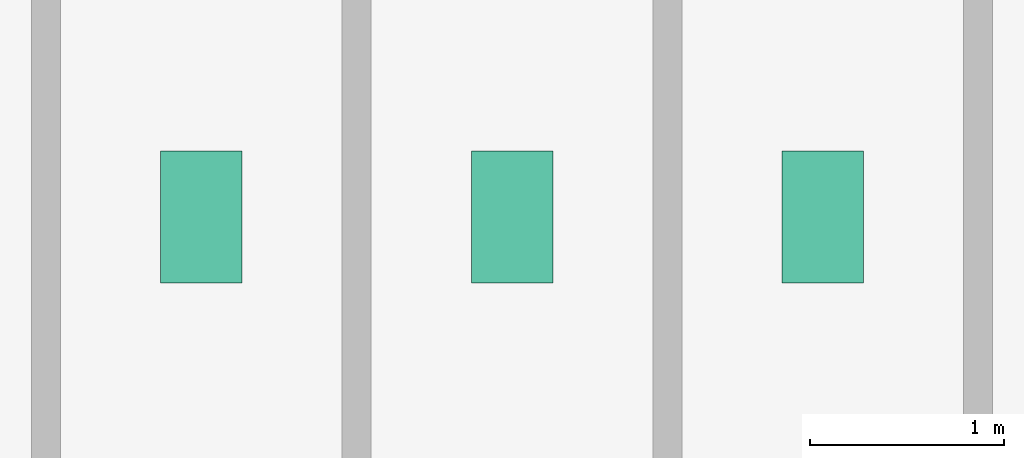
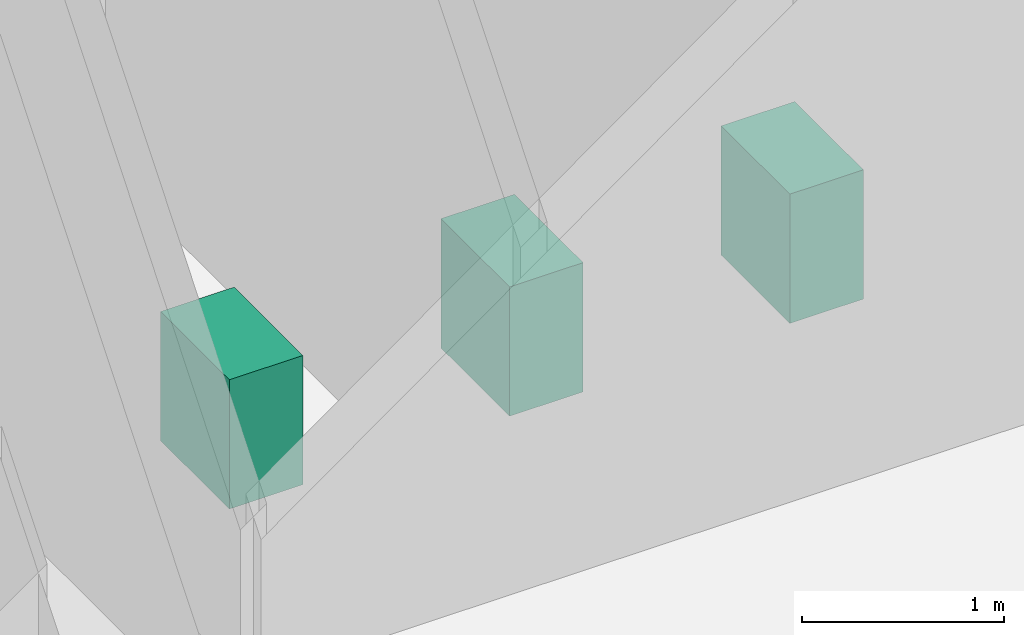
# One storey, part 22 of 22: 3 sanitary terminals.
"""IFC4 building model written with IfcOpenShell, lengths in metres."""

from ifc_helpers import new_model, si_unit, derived_unit, direction, frame, origin, origin_2d, place, context, subcontext, project, spatial, rectangle, extrude, source, transform, mapped, material, type_object, element, save


model = new_model("IFC4")

# Units and contexts
model_context = context("Model", 3, precision=1e-05, world=origin(), true_north=direction((0.0, 1.0)))
body_context = subcontext(model_context, "Body", "Model", "MODEL_VIEW")
ifc_project = project(units=[si_unit("LENGTHUNIT", "METRE"), si_unit("AREAUNIT", "SQUARE_METRE"), si_unit("VOLUMEUNIT", "CUBIC_METRE"), si_unit("PLANEANGLEUNIT", "RADIAN"), si_unit("MASSUNIT", "GRAM", prefix="KILO"), derived_unit("THERMALTRANSMITTANCEUNIT", [(si_unit("POWERUNIT", "WATT"), 1), (si_unit("LENGTHUNIT", "METRE"), -2), (si_unit("THERMODYNAMICTEMPERATUREUNIT", "KELVIN"), -1)])], contexts=[model_context])

# Site, building, storey
site_placement = place(None, origin())
site = spatial("IfcSite", under=ifc_project, at=site_placement, CompositionType="ELEMENT")
building_placement = place(site_placement, origin())
building = spatial("IfcBuilding", under=site, at=building_placement, Name="Skarnbrae Concourse Arena and Tower", CompositionType="ELEMENT")
storey_placement = place(building_placement, frame((0.0, 0.0, 206.85009765625)))
storey = spatial("IfcBuildingStorey", under=building, at=storey_placement, Name="L53", CompositionType="ELEMENT", Elevation=206.85009765625)

# Sanitary terminals
ifc_material = material(Name="Vitreous china sanitaryware", Category="other")
sanitary_terminal_type = type_object("IfcSanitaryTerminalType", Name="SAN-WC-VITREOUS", PredefinedType="TOILETPAN", material=ifc_material)
shared_shape = source(origin(), body_context, "Body", "SweptSolid", [
    extrude(rectangle(XDim=0.419921875, YDim=0.679931640625, at=origin_2d()), origin(), (0.0, 0.0, 1.0), 0.780029296875),
])
for number, where, z_axis, x_axis, name in (
    (1, (35.0, 11.39990234375, 0.0), (0.0, 0.0, 1.0), (1.0, 0.0, 0.0), "L53 Washroom WC fixture 1"),
    (2, (36.60009765625, 11.39990234375, 0.0), (0.0, 0.0, 1.0), (1.0, 0.0, 0.0), "L53 Washroom WC fixture 2"),
    (3, (38.199951171875, 11.39990234375, 0.0), (0.0, 0.0, 1.0), (1.0, 0.0, 0.0), "L53 Washroom WC fixture 3"),
):
    element("IfcSanitaryTerminal", number, at=place(storey_placement, frame(where, z_axis=z_axis, x_axis=x_axis)), inside=storey, type_object=sanitary_terminal_type, Name=name, PredefinedType="TOILETPAN", context=body_context, shape_type="MappedRepresentation", body=[
        mapped(shared_shape, transform((0.0, 0.0, 0.0))),
    ])

save(model, "model.ifc")
